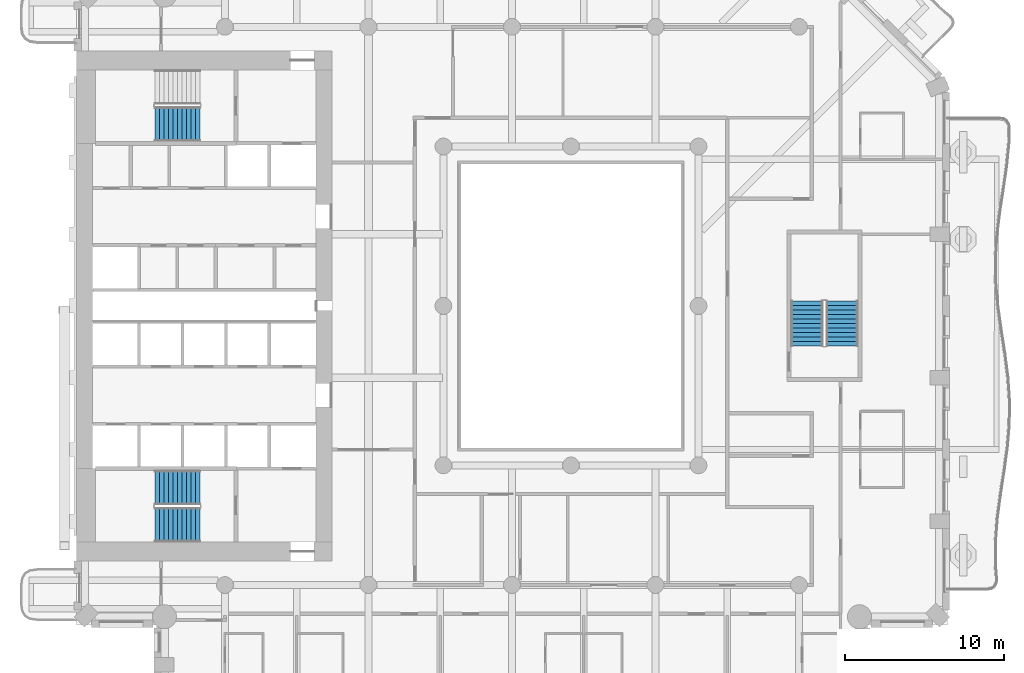
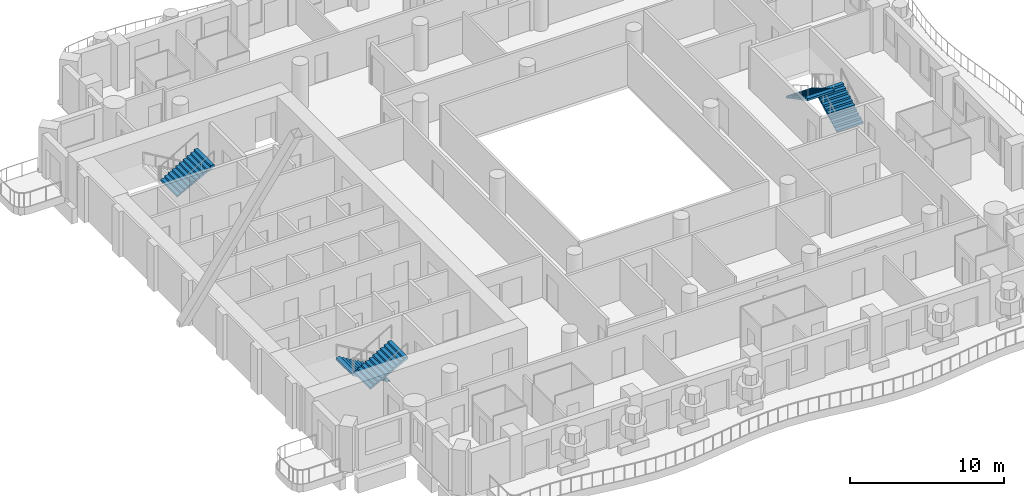
# One storey, part 12 of 21: 5 stair flights, 3 elements without a shape of their own.
"""IFC4 building model written with IfcOpenShell, lengths in metres."""

from ifc_helpers import new_model, si_unit, direction, frame, origin, place, context, subcontext, project, spatial, triangles, material, type_object, element, aggregate, save


model = new_model("IFC4")

# Units and contexts
model_context = context("Model", 3, precision=1e-05, world=origin(), true_north=direction((0.0, 1.0)))
body_context = subcontext(model_context, "Body", "Model", "MODEL_VIEW")
ifc_project = project(units=[si_unit("LENGTHUNIT", "METRE"), si_unit("AREAUNIT", "SQUARE_METRE"), si_unit("VOLUMEUNIT", "CUBIC_METRE"), si_unit("PLANEANGLEUNIT", "RADIAN"), si_unit("MASSUNIT", "GRAM", prefix="KILO")], contexts=[model_context])

# Site, building, storey
site_placement = place(None, origin())
site = spatial("IfcSite", under=ifc_project, at=site_placement, CompositionType="ELEMENT")
building_placement = place(site_placement, origin())
building = spatial("IfcBuilding", under=site, at=building_placement, Name="Cypress Arch Tower", CompositionType="ELEMENT")
storey_placement = place(building_placement, frame((0.0, 0.0, 127.5)))
storey = spatial("IfcBuildingStorey", under=building, at=storey_placement, Name="L27", CompositionType="ELEMENT", Elevation=127.5)

# Stair, stair flights
ifc_material_1 = material(Name="Concrete C40/50", Category="concrete")
stair_type_1 = type_object("IfcStairType", Name="Exit stair ES1636-200", PredefinedType="HALF_TURN_STAIR", material=ifc_material_1)
stair_1_placement = place(storey_placement, origin())
stair_1 = element("IfcStair", 1, at=stair_1_placement, inside=storey, type_object=stair_type_1, Name="L27 Exit stair C", PredefinedType="HALF_TURN_STAIR")
ifc_material_2 = material(Name="Concrete C40/50", Category="concrete")
stair_flight_type_1 = type_object("IfcStairFlightType", Name="Exit stair flight ES1636-200", PredefinedType="STRAIGHT", material=ifc_material_2)
stair_flight_1_placement = place(storey_placement, frame((18.0, -2.5, 0.0), z_axis=(0.0, 0.0, 1.0), x_axis=(0.0, 1.0, 0.0)))
stair_flight_1 = element("IfcStairFlight", 2, at=stair_flight_1_placement, type_object=stair_flight_type_1, Name="C flight 1", NumberOfRisers=11, NumberOfTreads=10, PredefinedType="STRAIGHT", RiserHeight=0.163636364, TreadLength=0.28, context=body_context, shape_type="Tessellation", body=[
    triangles([(0.0, -1.0, 0.0), (0.00048828125, -1.0, 0.054443359375), (0.00048828125, -1.0, 0.109130859375), (0.0, -1.0, 0.16357421875), (0.280029296875, -1.0, 0.16357421875), (0.280029296875, -1.0, 0.327392578125), (0.56005859375, -1.0, 0.327392578125), (0.56005859375, -1.0, 0.490966796875), (0.840087890625, -1.0, 0.490966796875), (0.840087890625, -1.0, 0.654541015625), (1.1201171875, -1.0, 0.654541015625), (1.1201171875, -1.0, 0.818115234375), (1.39990234375, -1.0, 0.818115234375), (1.39990234375, -1.0, 0.98193359375), (1.679931640625, -1.0, 0.98193359375), (1.679931640625, -1.0, 1.1455078125), (1.9599609375, -1.0, 1.1455078125), (1.9599609375, -1.0, 1.30908203125), (2.239990234375, -1.0, 1.30908203125), (2.239990234375, -1.0, 1.47265625), (2.52001953125, -1.0, 1.47265625), (2.52001953125, -1.0, 1.636474609375), (2.800048828125, -1.0, 1.636474609375), (2.799560546875, -1.0, 1.57861328125), (2.799560546875, -1.0, 1.5205078125), (2.800048828125, -1.0, 1.462646484375), (2.800048828125, 1.0, 1.462646484375), (2.799560546875, 1.0, 1.5205078125), (2.799560546875, 1.0, 1.57861328125), (2.800048828125, 1.0, 1.636474609375), (2.52001953125, 1.0, 1.636474609375), (2.52001953125, 1.0, 1.47265625), (2.239990234375, 1.0, 1.47265625), (2.239990234375, 1.0, 1.30908203125), (1.9599609375, 1.0, 1.30908203125), (1.9599609375, 1.0, 1.1455078125), (1.679931640625, 1.0, 1.1455078125), (1.679931640625, 1.0, 0.98193359375), (1.39990234375, 1.0, 0.98193359375), (1.39990234375, 1.0, 0.818115234375), (1.1201171875, 1.0, 0.818115234375), (1.1201171875, 1.0, 0.654541015625), (0.840087890625, 1.0, 0.654541015625), (0.840087890625, 1.0, 0.490966796875), (0.56005859375, 1.0, 0.490966796875), (0.56005859375, 1.0, 0.327392578125), (0.280029296875, 1.0, 0.327392578125), (0.280029296875, 1.0, 0.16357421875), (0.0, 1.0, 0.16357421875), (0.00048828125, 1.0, 0.109130859375), (0.00048828125, 1.0, 0.054443359375), (0.0, 1.0, 0.0), (2.799560546875, 0.0, 1.5205078125), (2.800048828125, 0.0, 1.462646484375), (2.799560546875, 0.0, 1.57861328125), (2.800048828125, 0.0, 1.636474609375), (2.52001953125, 0.0, 1.636474609375), (2.52001953125, 0.0, 1.47265625), (2.239990234375, 0.0, 1.47265625), (2.239990234375, 0.0, 1.30908203125), (1.9599609375, 0.0, 1.30908203125), (1.9599609375, 0.0, 1.1455078125), (1.679931640625, 0.0, 1.1455078125), (1.679931640625, 0.0, 0.98193359375), (1.39990234375, 0.0, 0.98193359375), (1.39990234375, 0.0, 0.818115234375), (1.1201171875, 0.0, 0.818115234375), (1.1201171875, 0.0, 0.654541015625), (0.840087890625, 0.0, 0.654541015625), (0.840087890625, 0.0, 0.490966796875), (0.56005859375, 0.0, 0.490966796875), (0.56005859375, 0.0, 0.327392578125), (0.280029296875, 0.0, 0.327392578125), (0.280029296875, 0.0, 0.16357421875), (0.0, 0.0, 0.16357421875), (0.00048828125, 0.0, 0.109130859375), (0.00048828125, 0.0, 0.054443359375), (0.0, 0.0, 0.0)], [[26, 25, 22], [25, 24, 22], [24, 23, 22], [15, 14, 13], [7, 6, 5], [13, 12, 11], [21, 20, 19], [19, 18, 17], [17, 16, 15], [11, 10, 9], [9, 8, 7], [4, 3, 5], [3, 2, 5], [2, 1, 5], [26, 22, 21], [26, 21, 19], [26, 19, 17], [26, 17, 15], [26, 15, 13], [26, 13, 11], [26, 11, 9], [26, 9, 7], [26, 7, 5], [26, 5, 1], [27, 31, 28], [28, 31, 29], [29, 31, 30], [38, 40, 39], [46, 48, 47], [40, 42, 41], [32, 34, 33], [34, 36, 35], [36, 38, 37], [42, 44, 43], [44, 46, 45], [49, 48, 50], [50, 48, 51], [51, 48, 52], [27, 32, 31], [27, 34, 32], [27, 36, 34], [27, 38, 36], [27, 40, 38], [27, 42, 40], [27, 44, 42], [27, 46, 44], [27, 48, 46], [27, 52, 48], [54, 53, 25], [54, 25, 26], [27, 28, 53], [27, 53, 54], [53, 55, 24], [53, 24, 25], [28, 29, 55], [28, 55, 53], [55, 56, 23], [55, 23, 24], [29, 30, 56], [29, 56, 55], [56, 57, 22], [56, 22, 23], [30, 31, 57], [30, 57, 56], [57, 58, 21], [57, 21, 22], [31, 32, 58], [31, 58, 57], [58, 59, 20], [58, 20, 21], [32, 33, 59], [32, 59, 58], [59, 60, 19], [59, 19, 20], [33, 34, 60], [33, 60, 59], [60, 61, 18], [60, 18, 19], [34, 35, 61], [34, 61, 60], [61, 62, 17], [61, 17, 18], [35, 36, 62], [35, 62, 61], [62, 63, 16], [62, 16, 17], [36, 37, 63], [36, 63, 62], [63, 64, 15], [63, 15, 16], [37, 38, 64], [37, 64, 63], [64, 65, 14], [64, 14, 15], [38, 39, 65], [38, 65, 64], [65, 66, 13], [65, 13, 14], [39, 40, 66], [39, 66, 65], [66, 67, 12], [66, 12, 13], [40, 41, 67], [40, 67, 66], [67, 68, 11], [67, 11, 12], [41, 42, 68], [41, 68, 67], [68, 69, 10], [68, 10, 11], [42, 43, 69], [42, 69, 68], [69, 70, 9], [69, 9, 10], [43, 44, 70], [43, 70, 69], [70, 71, 8], [70, 8, 9], [44, 45, 71], [44, 71, 70], [71, 72, 7], [71, 7, 8], [45, 46, 72], [45, 72, 71], [72, 73, 6], [72, 6, 7], [46, 47, 73], [46, 73, 72], [73, 74, 5], [73, 5, 6], [47, 48, 74], [47, 74, 73], [74, 75, 4], [74, 4, 5], [48, 49, 75], [48, 75, 74], [75, 76, 3], [75, 3, 4], [49, 50, 76], [49, 76, 75], [76, 77, 2], [76, 2, 3], [50, 51, 77], [50, 77, 76], [77, 78, 1], [77, 1, 2], [51, 52, 78], [51, 78, 77], [78, 54, 26], [78, 26, 1], [52, 27, 54], [52, 54, 78]], closed=True),
])
stair_flight_2_placement = place(storey_placement, frame((15.800048828125, 0.300048828125, 1.800048828125), z_axis=(0.0, 0.0, 1.0), x_axis=(0.0, -1.0, 0.0)))
stair_flight_2 = element("IfcStairFlight", 3, at=stair_flight_2_placement, type_object=stair_flight_type_1, Name="C flight 2", NumberOfRisers=11, NumberOfTreads=10, PredefinedType="STRAIGHT", RiserHeight=0.163636364, TreadLength=0.28, context=body_context, shape_type="Tessellation", body=[
    triangles([(0.0, -1.0, 0.0), (0.00048828125, -1.0, 0.054443359375), (0.00048828125, -1.0, 0.109130859375), (0.0, -1.0, 0.16357421875), (0.280029296875, -1.0, 0.16357421875), (0.280029296875, -1.0, 0.327392578125), (0.56005859375, -1.0, 0.327392578125), (0.56005859375, -1.0, 0.490966796875), (0.840087890625, -1.0, 0.490966796875), (0.840087890625, -1.0, 0.654541015625), (1.1201171875, -1.0, 0.654541015625), (1.1201171875, -1.0, 0.818115234375), (1.39990234375, -1.0, 0.818115234375), (1.39990234375, -1.0, 0.98193359375), (1.679931640625, -1.0, 0.98193359375), (1.679931640625, -1.0, 1.1455078125), (1.9599609375, -1.0, 1.1455078125), (1.9599609375, -1.0, 1.30908203125), (2.239990234375, -1.0, 1.30908203125), (2.239990234375, -1.0, 1.47265625), (2.52001953125, -1.0, 1.47265625), (2.52001953125, -1.0, 1.636474609375), (2.800048828125, -1.0, 1.636474609375), (2.799560546875, -1.0, 1.57861328125), (2.799560546875, -1.0, 1.5205078125), (2.800048828125, -1.0, 1.462646484375), (2.800048828125, 1.0, 1.462646484375), (2.799560546875, 1.0, 1.5205078125), (2.799560546875, 1.0, 1.57861328125), (2.800048828125, 1.0, 1.636474609375), (2.52001953125, 1.0, 1.636474609375), (2.52001953125, 1.0, 1.47265625), (2.239990234375, 1.0, 1.47265625), (2.239990234375, 1.0, 1.30908203125), (1.9599609375, 1.0, 1.30908203125), (1.9599609375, 1.0, 1.1455078125), (1.679931640625, 1.0, 1.1455078125), (1.679931640625, 1.0, 0.98193359375), (1.39990234375, 1.0, 0.98193359375), (1.39990234375, 1.0, 0.818115234375), (1.1201171875, 1.0, 0.818115234375), (1.1201171875, 1.0, 0.654541015625), (0.840087890625, 1.0, 0.654541015625), (0.840087890625, 1.0, 0.490966796875), (0.56005859375, 1.0, 0.490966796875), (0.56005859375, 1.0, 0.327392578125), (0.280029296875, 1.0, 0.327392578125), (0.280029296875, 1.0, 0.16357421875), (0.0, 1.0, 0.16357421875), (0.00048828125, 1.0, 0.109130859375), (0.00048828125, 1.0, 0.054443359375), (0.0, 1.0, 0.0), (2.799560546875, 0.0, 1.5205078125), (2.800048828125, 0.0, 1.462646484375), (2.799560546875, 0.0, 1.57861328125), (2.800048828125, 0.0, 1.636474609375), (2.52001953125, 0.0, 1.636474609375), (2.52001953125, 0.0, 1.47265625), (2.239990234375, 0.0, 1.47265625), (2.239990234375, 0.0, 1.30908203125), (1.9599609375, 0.0, 1.30908203125), (1.9599609375, 0.0, 1.1455078125), (1.679931640625, 0.0, 1.1455078125), (1.679931640625, 0.0, 0.98193359375), (1.39990234375, 0.0, 0.98193359375), (1.39990234375, 0.0, 0.818115234375), (1.1201171875, 0.0, 0.818115234375), (1.1201171875, 0.0, 0.654541015625), (0.840087890625, 0.0, 0.654541015625), (0.840087890625, 0.0, 0.490966796875), (0.56005859375, 0.0, 0.490966796875), (0.56005859375, 0.0, 0.327392578125), (0.280029296875, 0.0, 0.327392578125), (0.280029296875, 0.0, 0.16357421875), (0.0, 0.0, 0.16357421875), (0.00048828125, 0.0, 0.109130859375), (0.00048828125, 0.0, 0.054443359375), (0.0, 0.0, 0.0)], [[26, 25, 22], [25, 24, 22], [24, 23, 22], [15, 14, 13], [7, 6, 5], [13, 12, 11], [21, 20, 19], [19, 18, 17], [17, 16, 15], [11, 10, 9], [9, 8, 7], [4, 3, 5], [3, 2, 5], [2, 1, 5], [26, 22, 21], [26, 21, 19], [26, 19, 17], [26, 17, 15], [26, 15, 13], [26, 13, 11], [26, 11, 9], [26, 9, 7], [26, 7, 5], [26, 5, 1], [27, 31, 28], [28, 31, 29], [29, 31, 30], [38, 40, 39], [46, 48, 47], [40, 42, 41], [32, 34, 33], [34, 36, 35], [36, 38, 37], [42, 44, 43], [44, 46, 45], [49, 48, 50], [50, 48, 51], [51, 48, 52], [27, 32, 31], [27, 34, 32], [27, 36, 34], [27, 38, 36], [27, 40, 38], [27, 42, 40], [27, 44, 42], [27, 46, 44], [27, 48, 46], [27, 52, 48], [54, 53, 25], [54, 25, 26], [27, 28, 53], [27, 53, 54], [53, 55, 24], [53, 24, 25], [28, 29, 55], [28, 55, 53], [55, 56, 23], [55, 23, 24], [29, 30, 56], [29, 56, 55], [56, 57, 22], [56, 22, 23], [30, 31, 57], [30, 57, 56], [57, 58, 21], [57, 21, 22], [31, 32, 58], [31, 58, 57], [58, 59, 20], [58, 20, 21], [32, 33, 59], [32, 59, 58], [59, 60, 19], [59, 19, 20], [33, 34, 60], [33, 60, 59], [60, 61, 18], [60, 18, 19], [34, 35, 61], [34, 61, 60], [61, 62, 17], [61, 17, 18], [35, 36, 62], [35, 62, 61], [62, 63, 16], [62, 16, 17], [36, 37, 63], [36, 63, 62], [63, 64, 15], [63, 15, 16], [37, 38, 64], [37, 64, 63], [64, 65, 14], [64, 14, 15], [38, 39, 65], [38, 65, 64], [65, 66, 13], [65, 13, 14], [39, 40, 66], [39, 66, 65], [66, 67, 12], [66, 12, 13], [40, 41, 67], [40, 67, 66], [67, 68, 11], [67, 11, 12], [41, 42, 68], [41, 68, 67], [68, 69, 10], [68, 10, 11], [42, 43, 69], [42, 69, 68], [69, 70, 9], [69, 9, 10], [43, 44, 70], [43, 70, 69], [70, 71, 8], [70, 8, 9], [44, 45, 71], [44, 71, 70], [71, 72, 7], [71, 7, 8], [45, 46, 72], [45, 72, 71], [72, 73, 6], [72, 6, 7], [46, 47, 73], [46, 73, 72], [73, 74, 5], [73, 5, 6], [47, 48, 74], [47, 74, 73], [74, 75, 4], [74, 4, 5], [48, 49, 75], [48, 75, 74], [75, 76, 3], [75, 3, 4], [49, 50, 76], [49, 76, 75], [76, 77, 2], [76, 2, 3], [50, 51, 77], [50, 77, 76], [77, 78, 1], [77, 1, 2], [51, 52, 78], [51, 78, 77], [78, 54, 26], [78, 26, 1], [52, 27, 54], [52, 54, 78]], closed=True),
])
aggregate(stair_1, [stair_flight_1, stair_flight_2])

ifc_material_3 = material(Name="Concrete C40/50", Category="concrete")
stair_type_2 = type_object("IfcStairType", Name="Exit stair ES1636-215", PredefinedType="HALF_TURN_STAIR", material=ifc_material_3)
stair_2_placement = place(storey_placement, origin())
stair_2 = element("IfcStair", 4, at=stair_2_placement, inside=storey, type_object=stair_type_2, Name="L27 Exit stair A", PredefinedType="HALF_TURN_STAIR")
ifc_material_4 = material(Name="Concrete C40/50", Category="concrete")
stair_flight_type_2 = type_object("IfcStairFlightType", Name="Exit stair flight ES1636-215", PredefinedType="STRAIGHT", material=ifc_material_4)
stair_flight_3_placement = place(storey_placement, frame((-22.27490234375, -11.39990234375, 0.0), z_axis=(0.0, 0.0, 1.0), x_axis=(-1.0, 0.0, 0.0)))
stair_flight_3 = element("IfcStairFlight", 5, at=stair_flight_3_placement, type_object=stair_flight_type_2, Name="A flight 1", NumberOfRisers=11, NumberOfTreads=10, PredefinedType="STRAIGHT", RiserHeight=0.163636364, TreadLength=0.28, context=body_context, shape_type="Tessellation", body=[
    triangles([(0.0, -1.074951171875, 0.0), (0.000244140625, -1.074951171875, 0.03271484375), (0.00048828125, -1.074951171875, 0.0654296875), (0.00048828125, -1.074951171875, 0.09814453125), (0.000244140625, -1.074951171875, 0.130859375), (0.0, -1.074951171875, 0.16357421875), (0.280029296875, -1.074951171875, 0.16357421875), (0.280029296875, -1.074951171875, 0.327392578125), (0.56005859375, -1.074951171875, 0.327392578125), (0.56005859375, -1.074951171875, 0.490966796875), (0.840087890625, -1.074951171875, 0.490966796875), (0.840087890625, -1.074951171875, 0.654541015625), (1.1201171875, -1.074951171875, 0.654541015625), (1.1201171875, -1.074951171875, 0.818115234375), (1.39990234375, -1.074951171875, 0.818115234375), (1.39990234375, -1.074951171875, 0.98193359375), (1.679931640625, -1.074951171875, 0.98193359375), (1.679931640625, -1.074951171875, 1.1455078125), (1.9599609375, -1.074951171875, 1.1455078125), (1.9599609375, -1.074951171875, 1.30908203125), (2.239990234375, -1.074951171875, 1.30908203125), (2.239990234375, -1.074951171875, 1.47265625), (2.52001953125, -1.074951171875, 1.47265625), (2.52001953125, -1.074951171875, 1.636474609375), (2.800048828125, -1.074951171875, 1.636474609375), (2.7998046875, -1.074951171875, 1.601806640625), (2.799560546875, -1.074951171875, 1.56689453125), (2.799560546875, -1.074951171875, 1.5322265625), (2.7998046875, -1.074951171875, 1.497314453125), (2.800048828125, -1.074951171875, 1.462646484375), (2.800048828125, 1.074951171875, 1.462646484375), (2.7998046875, 1.074951171875, 1.497314453125), (2.799560546875, 1.074951171875, 1.5322265625), (2.799560546875, 1.074951171875, 1.56689453125), (2.7998046875, 1.074951171875, 1.601806640625), (2.800048828125, 1.074951171875, 1.636474609375), (2.52001953125, 1.074951171875, 1.636474609375), (2.52001953125, 1.074951171875, 1.47265625), (2.239990234375, 1.074951171875, 1.47265625), (2.239990234375, 1.074951171875, 1.30908203125), (1.9599609375, 1.074951171875, 1.30908203125), (1.9599609375, 1.074951171875, 1.1455078125), (1.679931640625, 1.074951171875, 1.1455078125), (1.679931640625, 1.074951171875, 0.98193359375), (1.39990234375, 1.074951171875, 0.98193359375), (1.39990234375, 1.074951171875, 0.818115234375), (1.1201171875, 1.074951171875, 0.818115234375), (1.1201171875, 1.074951171875, 0.654541015625), (0.840087890625, 1.074951171875, 0.654541015625), (0.840087890625, 1.074951171875, 0.490966796875), (0.56005859375, 1.074951171875, 0.490966796875), (0.56005859375, 1.074951171875, 0.327392578125), (0.280029296875, 1.074951171875, 0.327392578125), (0.280029296875, 1.074951171875, 0.16357421875), (0.0, 1.074951171875, 0.16357421875), (0.000244140625, 1.074951171875, 0.130859375), (0.00048828125, 1.074951171875, 0.09814453125), (0.00048828125, 1.074951171875, 0.0654296875), (0.000244140625, 1.074951171875, 0.03271484375), (0.0, 1.074951171875, 0.0), (2.7998046875, 0.0, 1.497314453125), (2.800048828125, 0.0, 1.462646484375), (2.799560546875, 0.0, 1.5322265625), (2.799560546875, 0.0, 1.56689453125), (2.7998046875, 0.0, 1.601806640625), (2.800048828125, 0.0, 1.636474609375), (2.52001953125, 0.0, 1.636474609375), (2.52001953125, 0.0, 1.47265625), (2.239990234375, 0.0, 1.47265625), (2.239990234375, 0.0, 1.30908203125), (1.9599609375, 0.0, 1.30908203125), (1.9599609375, 0.0, 1.1455078125), (1.679931640625, 0.0, 1.1455078125), (1.679931640625, 0.0, 0.98193359375), (1.39990234375, 0.0, 0.98193359375), (1.39990234375, 0.0, 0.818115234375), (1.1201171875, 0.0, 0.818115234375), (1.1201171875, 0.0, 0.654541015625), (0.840087890625, 0.0, 0.654541015625), (0.840087890625, 0.0, 0.490966796875), (0.56005859375, 0.0, 0.490966796875), (0.56005859375, 0.0, 0.327392578125), (0.280029296875, 0.0, 0.327392578125), (0.280029296875, 0.0, 0.16357421875), (0.0, 0.0, 0.16357421875), (0.000244140625, 0.0, 0.130859375), (0.00048828125, 0.0, 0.09814453125), (0.00048828125, 0.0, 0.0654296875), (0.000244140625, 0.0, 0.03271484375), (0.0, 0.0, 0.0)], [[30, 29, 24], [29, 28, 24], [28, 27, 24], [27, 26, 24], [26, 25, 24], [17, 16, 15], [9, 8, 7], [15, 14, 13], [23, 22, 21], [21, 20, 19], [19, 18, 17], [13, 12, 11], [11, 10, 9], [6, 5, 7], [5, 4, 7], [4, 3, 7], [3, 2, 7], [2, 1, 7], [30, 24, 23], [30, 23, 21], [30, 21, 19], [30, 19, 17], [30, 17, 15], [30, 15, 13], [30, 13, 11], [30, 11, 9], [30, 9, 7], [30, 7, 1], [31, 37, 32], [32, 37, 33], [33, 37, 34], [34, 37, 35], [35, 37, 36], [44, 46, 45], [52, 54, 53], [46, 48, 47], [38, 40, 39], [40, 42, 41], [42, 44, 43], [48, 50, 49], [50, 52, 51], [55, 54, 56], [56, 54, 57], [57, 54, 58], [58, 54, 59], [59, 54, 60], [31, 38, 37], [31, 40, 38], [31, 42, 40], [31, 44, 42], [31, 46, 44], [31, 48, 46], [31, 50, 48], [31, 52, 50], [31, 54, 52], [31, 60, 54], [62, 61, 29], [62, 29, 30], [31, 32, 61], [31, 61, 62], [61, 63, 28], [61, 28, 29], [32, 33, 63], [32, 63, 61], [63, 64, 27], [63, 27, 28], [33, 34, 64], [33, 64, 63], [64, 65, 26], [64, 26, 27], [34, 35, 65], [34, 65, 64], [65, 66, 25], [65, 25, 26], [35, 36, 66], [35, 66, 65], [66, 67, 24], [66, 24, 25], [36, 37, 67], [36, 67, 66], [67, 68, 23], [67, 23, 24], [37, 38, 68], [37, 68, 67], [68, 69, 22], [68, 22, 23], [38, 39, 69], [38, 69, 68], [69, 70, 21], [69, 21, 22], [39, 40, 70], [39, 70, 69], [70, 71, 20], [70, 20, 21], [40, 41, 71], [40, 71, 70], [71, 72, 19], [71, 19, 20], [41, 42, 72], [41, 72, 71], [72, 73, 18], [72, 18, 19], [42, 43, 73], [42, 73, 72], [73, 74, 17], [73, 17, 18], [43, 44, 74], [43, 74, 73], [74, 75, 16], [74, 16, 17], [44, 45, 75], [44, 75, 74], [75, 76, 15], [75, 15, 16], [45, 46, 76], [45, 76, 75], [76, 77, 14], [76, 14, 15], [46, 47, 77], [46, 77, 76], [77, 78, 13], [77, 13, 14], [47, 48, 78], [47, 78, 77], [78, 79, 12], [78, 12, 13], [48, 49, 79], [48, 79, 78], [79, 80, 11], [79, 11, 12], [49, 50, 80], [49, 80, 79], [80, 81, 10], [80, 10, 11], [50, 51, 81], [50, 81, 80], [81, 82, 9], [81, 9, 10], [51, 52, 82], [51, 82, 81], [82, 83, 8], [82, 8, 9], [52, 53, 83], [52, 83, 82], [83, 84, 7], [83, 7, 8], [53, 54, 84], [53, 84, 83], [84, 85, 6], [84, 6, 7], [54, 55, 85], [54, 85, 84], [85, 86, 5], [85, 5, 6], [55, 56, 86], [55, 86, 85], [86, 87, 4], [86, 4, 5], [56, 57, 87], [56, 87, 86], [87, 88, 3], [87, 3, 4], [57, 58, 88], [57, 88, 87], [88, 89, 2], [88, 2, 3], [58, 59, 89], [58, 89, 88], [89, 90, 1], [89, 1, 2], [59, 60, 90], [59, 90, 89], [90, 62, 30], [90, 30, 1], [60, 31, 62], [60, 62, 90]], closed=True),
])
stair_flight_4_placement = place(storey_placement, frame((-25.074951171875, -13.72509765625, 1.800048828125), z_axis=(0.0, 0.0, 1.0), x_axis=(1.0, 0.0, 0.0)))
stair_flight_4 = element("IfcStairFlight", 6, at=stair_flight_4_placement, type_object=stair_flight_type_2, Name="A flight 2", NumberOfRisers=11, NumberOfTreads=10, PredefinedType="STRAIGHT", RiserHeight=0.163636364, TreadLength=0.28, context=body_context, shape_type="Tessellation", body=[
    triangles([(0.0, -1.074951171875, 0.0), (0.000244140625, -1.074951171875, 0.03271484375), (0.00048828125, -1.074951171875, 0.0654296875), (0.00048828125, -1.074951171875, 0.09814453125), (0.000244140625, -1.074951171875, 0.130859375), (0.0, -1.074951171875, 0.16357421875), (0.280029296875, -1.074951171875, 0.16357421875), (0.280029296875, -1.074951171875, 0.327392578125), (0.56005859375, -1.074951171875, 0.327392578125), (0.56005859375, -1.074951171875, 0.490966796875), (0.840087890625, -1.074951171875, 0.490966796875), (0.840087890625, -1.074951171875, 0.654541015625), (1.1201171875, -1.074951171875, 0.654541015625), (1.1201171875, -1.074951171875, 0.818115234375), (1.39990234375, -1.074951171875, 0.818115234375), (1.39990234375, -1.074951171875, 0.98193359375), (1.679931640625, -1.074951171875, 0.98193359375), (1.679931640625, -1.074951171875, 1.1455078125), (1.9599609375, -1.074951171875, 1.1455078125), (1.9599609375, -1.074951171875, 1.30908203125), (2.239990234375, -1.074951171875, 1.30908203125), (2.239990234375, -1.074951171875, 1.47265625), (2.52001953125, -1.074951171875, 1.47265625), (2.52001953125, -1.074951171875, 1.636474609375), (2.800048828125, -1.074951171875, 1.636474609375), (2.7998046875, -1.074951171875, 1.601806640625), (2.799560546875, -1.074951171875, 1.56689453125), (2.799560546875, -1.074951171875, 1.5322265625), (2.7998046875, -1.074951171875, 1.497314453125), (2.800048828125, -1.074951171875, 1.462646484375), (2.800048828125, 1.074951171875, 1.462646484375), (2.7998046875, 1.074951171875, 1.497314453125), (2.799560546875, 1.074951171875, 1.5322265625), (2.799560546875, 1.074951171875, 1.56689453125), (2.7998046875, 1.074951171875, 1.601806640625), (2.800048828125, 1.074951171875, 1.636474609375), (2.52001953125, 1.074951171875, 1.636474609375), (2.52001953125, 1.074951171875, 1.47265625), (2.239990234375, 1.074951171875, 1.47265625), (2.239990234375, 1.074951171875, 1.30908203125), (1.9599609375, 1.074951171875, 1.30908203125), (1.9599609375, 1.074951171875, 1.1455078125), (1.679931640625, 1.074951171875, 1.1455078125), (1.679931640625, 1.074951171875, 0.98193359375), (1.39990234375, 1.074951171875, 0.98193359375), (1.39990234375, 1.074951171875, 0.818115234375), (1.1201171875, 1.074951171875, 0.818115234375), (1.1201171875, 1.074951171875, 0.654541015625), (0.840087890625, 1.074951171875, 0.654541015625), (0.840087890625, 1.074951171875, 0.490966796875), (0.56005859375, 1.074951171875, 0.490966796875), (0.56005859375, 1.074951171875, 0.327392578125), (0.280029296875, 1.074951171875, 0.327392578125), (0.280029296875, 1.074951171875, 0.16357421875), (0.0, 1.074951171875, 0.16357421875), (0.000244140625, 1.074951171875, 0.130859375), (0.00048828125, 1.074951171875, 0.09814453125), (0.00048828125, 1.074951171875, 0.0654296875), (0.000244140625, 1.074951171875, 0.03271484375), (0.0, 1.074951171875, 0.0), (2.7998046875, 0.0, 1.497314453125), (2.800048828125, 0.0, 1.462646484375), (2.799560546875, 0.0, 1.5322265625), (2.799560546875, 0.0, 1.56689453125), (2.7998046875, 0.0, 1.601806640625), (2.800048828125, 0.0, 1.636474609375), (2.52001953125, 0.0, 1.636474609375), (2.52001953125, 0.0, 1.47265625), (2.239990234375, 0.0, 1.47265625), (2.239990234375, 0.0, 1.30908203125), (1.9599609375, 0.0, 1.30908203125), (1.9599609375, 0.0, 1.1455078125), (1.679931640625, 0.0, 1.1455078125), (1.679931640625, 0.0, 0.98193359375), (1.39990234375, 0.0, 0.98193359375), (1.39990234375, 0.0, 0.818115234375), (1.1201171875, 0.0, 0.818115234375), (1.1201171875, 0.0, 0.654541015625), (0.840087890625, 0.0, 0.654541015625), (0.840087890625, 0.0, 0.490966796875), (0.56005859375, 0.0, 0.490966796875), (0.56005859375, 0.0, 0.327392578125), (0.280029296875, 0.0, 0.327392578125), (0.280029296875, 0.0, 0.16357421875), (0.0, 0.0, 0.16357421875), (0.000244140625, 0.0, 0.130859375), (0.00048828125, 0.0, 0.09814453125), (0.00048828125, 0.0, 0.0654296875), (0.000244140625, 0.0, 0.03271484375), (0.0, 0.0, 0.0)], [[30, 29, 24], [29, 28, 24], [28, 27, 24], [27, 26, 24], [26, 25, 24], [17, 16, 15], [9, 8, 7], [15, 14, 13], [23, 22, 21], [21, 20, 19], [19, 18, 17], [13, 12, 11], [11, 10, 9], [6, 5, 7], [5, 4, 7], [4, 3, 7], [3, 2, 7], [2, 1, 7], [30, 24, 23], [30, 23, 21], [30, 21, 19], [30, 19, 17], [30, 17, 15], [30, 15, 13], [30, 13, 11], [30, 11, 9], [30, 9, 7], [30, 7, 1], [31, 37, 32], [32, 37, 33], [33, 37, 34], [34, 37, 35], [35, 37, 36], [44, 46, 45], [52, 54, 53], [46, 48, 47], [38, 40, 39], [40, 42, 41], [42, 44, 43], [48, 50, 49], [50, 52, 51], [55, 54, 56], [56, 54, 57], [57, 54, 58], [58, 54, 59], [59, 54, 60], [31, 38, 37], [31, 40, 38], [31, 42, 40], [31, 44, 42], [31, 46, 44], [31, 48, 46], [31, 50, 48], [31, 52, 50], [31, 54, 52], [31, 60, 54], [62, 61, 29], [62, 29, 30], [31, 32, 61], [31, 61, 62], [61, 63, 28], [61, 28, 29], [32, 33, 63], [32, 63, 61], [63, 64, 27], [63, 27, 28], [33, 34, 64], [33, 64, 63], [64, 65, 26], [64, 26, 27], [34, 35, 65], [34, 65, 64], [65, 66, 25], [65, 25, 26], [35, 36, 66], [35, 66, 65], [66, 67, 24], [66, 24, 25], [36, 37, 67], [36, 67, 66], [67, 68, 23], [67, 23, 24], [37, 38, 68], [37, 68, 67], [68, 69, 22], [68, 22, 23], [38, 39, 69], [38, 69, 68], [69, 70, 21], [69, 21, 22], [39, 40, 70], [39, 70, 69], [70, 71, 20], [70, 20, 21], [40, 41, 71], [40, 71, 70], [71, 72, 19], [71, 19, 20], [41, 42, 72], [41, 72, 71], [72, 73, 18], [72, 18, 19], [42, 43, 73], [42, 73, 72], [73, 74, 17], [73, 17, 18], [43, 44, 74], [43, 74, 73], [74, 75, 16], [74, 16, 17], [44, 45, 75], [44, 75, 74], [75, 76, 15], [75, 15, 16], [45, 46, 76], [45, 76, 75], [76, 77, 14], [76, 14, 15], [46, 47, 77], [46, 77, 76], [77, 78, 13], [77, 13, 14], [47, 48, 78], [47, 78, 77], [78, 79, 12], [78, 12, 13], [48, 49, 79], [48, 79, 78], [79, 80, 11], [79, 11, 12], [49, 50, 80], [49, 80, 79], [80, 81, 10], [80, 10, 11], [50, 51, 81], [50, 81, 80], [81, 82, 9], [81, 9, 10], [51, 52, 82], [51, 82, 81], [82, 83, 8], [82, 8, 9], [52, 53, 83], [52, 83, 82], [83, 84, 7], [83, 7, 8], [53, 54, 84], [53, 84, 83], [84, 85, 6], [84, 6, 7], [54, 55, 85], [54, 85, 84], [85, 86, 5], [85, 5, 6], [55, 56, 86], [55, 86, 85], [86, 87, 4], [86, 4, 5], [56, 57, 87], [56, 87, 86], [87, 88, 3], [87, 3, 4], [57, 58, 88], [57, 88, 87], [88, 89, 2], [88, 2, 3], [58, 59, 89], [58, 89, 88], [89, 90, 1], [89, 1, 2], [59, 60, 90], [59, 90, 89], [90, 62, 30], [90, 30, 1], [60, 31, 62], [60, 62, 90]], closed=True),
])
aggregate(stair_2, [stair_flight_3, stair_flight_4])

# Stair, stair flight
stair_3_placement = place(storey_placement, origin())
stair_3 = element("IfcStair", 7, at=stair_3_placement, inside=storey, type_object=stair_type_2, Name="L27 Exit stair B", PredefinedType="HALF_TURN_STAIR")
stair_flight_5_placement = place(storey_placement, frame((-25.074951171875, 11.39990234375, 1.800048828125), z_axis=(0.0, 0.0, 1.0), x_axis=(1.0, 0.0, 0.0)))
stair_flight_5 = element("IfcStairFlight", 8, at=stair_flight_5_placement, type_object=stair_flight_type_2, Name="B flight 2", NumberOfRisers=11, NumberOfTreads=10, PredefinedType="STRAIGHT", RiserHeight=0.163636364, TreadLength=0.28, context=body_context, shape_type="Tessellation", body=[
    triangles([(0.0, -1.074951171875, 0.0), (0.000244140625, -1.074951171875, 0.03271484375), (0.00048828125, -1.074951171875, 0.0654296875), (0.00048828125, -1.074951171875, 0.09814453125), (0.000244140625, -1.074951171875, 0.130859375), (0.0, -1.074951171875, 0.16357421875), (0.280029296875, -1.074951171875, 0.16357421875), (0.280029296875, -1.074951171875, 0.327392578125), (0.56005859375, -1.074951171875, 0.327392578125), (0.56005859375, -1.074951171875, 0.490966796875), (0.840087890625, -1.074951171875, 0.490966796875), (0.840087890625, -1.074951171875, 0.654541015625), (1.1201171875, -1.074951171875, 0.654541015625), (1.1201171875, -1.074951171875, 0.818115234375), (1.39990234375, -1.074951171875, 0.818115234375), (1.39990234375, -1.074951171875, 0.98193359375), (1.679931640625, -1.074951171875, 0.98193359375), (1.679931640625, -1.074951171875, 1.1455078125), (1.9599609375, -1.074951171875, 1.1455078125), (1.9599609375, -1.074951171875, 1.30908203125), (2.239990234375, -1.074951171875, 1.30908203125), (2.239990234375, -1.074951171875, 1.47265625), (2.52001953125, -1.074951171875, 1.47265625), (2.52001953125, -1.074951171875, 1.636474609375), (2.800048828125, -1.074951171875, 1.636474609375), (2.7998046875, -1.074951171875, 1.601806640625), (2.799560546875, -1.074951171875, 1.56689453125), (2.799560546875, -1.074951171875, 1.5322265625), (2.7998046875, -1.074951171875, 1.497314453125), (2.800048828125, -1.074951171875, 1.462646484375), (2.800048828125, 1.074951171875, 1.462646484375), (2.7998046875, 1.074951171875, 1.497314453125), (2.799560546875, 1.074951171875, 1.5322265625), (2.799560546875, 1.074951171875, 1.56689453125), (2.7998046875, 1.074951171875, 1.601806640625), (2.800048828125, 1.074951171875, 1.636474609375), (2.52001953125, 1.074951171875, 1.636474609375), (2.52001953125, 1.074951171875, 1.47265625), (2.239990234375, 1.074951171875, 1.47265625), (2.239990234375, 1.074951171875, 1.30908203125), (1.9599609375, 1.074951171875, 1.30908203125), (1.9599609375, 1.074951171875, 1.1455078125), (1.679931640625, 1.074951171875, 1.1455078125), (1.679931640625, 1.074951171875, 0.98193359375), (1.39990234375, 1.074951171875, 0.98193359375), (1.39990234375, 1.074951171875, 0.818115234375), (1.1201171875, 1.074951171875, 0.818115234375), (1.1201171875, 1.074951171875, 0.654541015625), (0.840087890625, 1.074951171875, 0.654541015625), (0.840087890625, 1.074951171875, 0.490966796875), (0.56005859375, 1.074951171875, 0.490966796875), (0.56005859375, 1.074951171875, 0.327392578125), (0.280029296875, 1.074951171875, 0.327392578125), (0.280029296875, 1.074951171875, 0.16357421875), (0.0, 1.074951171875, 0.16357421875), (0.000244140625, 1.074951171875, 0.130859375), (0.00048828125, 1.074951171875, 0.09814453125), (0.00048828125, 1.074951171875, 0.0654296875), (0.000244140625, 1.074951171875, 0.03271484375), (0.0, 1.074951171875, 0.0), (2.7998046875, 0.0, 1.497314453125), (2.800048828125, 0.0, 1.462646484375), (2.799560546875, 0.0, 1.5322265625), (2.799560546875, 0.0, 1.56689453125), (2.7998046875, 0.0, 1.601806640625), (2.800048828125, 0.0, 1.636474609375), (2.52001953125, 0.0, 1.636474609375), (2.52001953125, 0.0, 1.47265625), (2.239990234375, 0.0, 1.47265625), (2.239990234375, 0.0, 1.30908203125), (1.9599609375, 0.0, 1.30908203125), (1.9599609375, 0.0, 1.1455078125), (1.679931640625, 0.0, 1.1455078125), (1.679931640625, 0.0, 0.98193359375), (1.39990234375, 0.0, 0.98193359375), (1.39990234375, 0.0, 0.818115234375), (1.1201171875, 0.0, 0.818115234375), (1.1201171875, 0.0, 0.654541015625), (0.840087890625, 0.0, 0.654541015625), (0.840087890625, 0.0, 0.490966796875), (0.56005859375, 0.0, 0.490966796875), (0.56005859375, 0.0, 0.327392578125), (0.280029296875, 0.0, 0.327392578125), (0.280029296875, 0.0, 0.16357421875), (0.0, 0.0, 0.16357421875), (0.000244140625, 0.0, 0.130859375), (0.00048828125, 0.0, 0.09814453125), (0.00048828125, 0.0, 0.0654296875), (0.000244140625, 0.0, 0.03271484375), (0.0, 0.0, 0.0)], [[30, 29, 24], [29, 28, 24], [28, 27, 24], [27, 26, 24], [26, 25, 24], [17, 16, 15], [9, 8, 7], [15, 14, 13], [23, 22, 21], [21, 20, 19], [19, 18, 17], [13, 12, 11], [11, 10, 9], [6, 5, 7], [5, 4, 7], [4, 3, 7], [3, 2, 7], [2, 1, 7], [30, 24, 23], [30, 23, 21], [30, 21, 19], [30, 19, 17], [30, 17, 15], [30, 15, 13], [30, 13, 11], [30, 11, 9], [30, 9, 7], [30, 7, 1], [31, 37, 32], [32, 37, 33], [33, 37, 34], [34, 37, 35], [35, 37, 36], [44, 46, 45], [52, 54, 53], [46, 48, 47], [38, 40, 39], [40, 42, 41], [42, 44, 43], [48, 50, 49], [50, 52, 51], [55, 54, 56], [56, 54, 57], [57, 54, 58], [58, 54, 59], [59, 54, 60], [31, 38, 37], [31, 40, 38], [31, 42, 40], [31, 44, 42], [31, 46, 44], [31, 48, 46], [31, 50, 48], [31, 52, 50], [31, 54, 52], [31, 60, 54], [62, 61, 29], [62, 29, 30], [31, 32, 61], [31, 61, 62], [61, 63, 28], [61, 28, 29], [32, 33, 63], [32, 63, 61], [63, 64, 27], [63, 27, 28], [33, 34, 64], [33, 64, 63], [64, 65, 26], [64, 26, 27], [34, 35, 65], [34, 65, 64], [65, 66, 25], [65, 25, 26], [35, 36, 66], [35, 66, 65], [66, 67, 24], [66, 24, 25], [36, 37, 67], [36, 67, 66], [67, 68, 23], [67, 23, 24], [37, 38, 68], [37, 68, 67], [68, 69, 22], [68, 22, 23], [38, 39, 69], [38, 69, 68], [69, 70, 21], [69, 21, 22], [39, 40, 70], [39, 70, 69], [70, 71, 20], [70, 20, 21], [40, 41, 71], [40, 71, 70], [71, 72, 19], [71, 19, 20], [41, 42, 72], [41, 72, 71], [72, 73, 18], [72, 18, 19], [42, 43, 73], [42, 73, 72], [73, 74, 17], [73, 17, 18], [43, 44, 74], [43, 74, 73], [74, 75, 16], [74, 16, 17], [44, 45, 75], [44, 75, 74], [75, 76, 15], [75, 15, 16], [45, 46, 76], [45, 76, 75], [76, 77, 14], [76, 14, 15], [46, 47, 77], [46, 77, 76], [77, 78, 13], [77, 13, 14], [47, 48, 78], [47, 78, 77], [78, 79, 12], [78, 12, 13], [48, 49, 79], [48, 79, 78], [79, 80, 11], [79, 11, 12], [49, 50, 80], [49, 80, 79], [80, 81, 10], [80, 10, 11], [50, 51, 81], [50, 81, 80], [81, 82, 9], [81, 9, 10], [51, 52, 82], [51, 82, 81], [82, 83, 8], [82, 8, 9], [52, 53, 83], [52, 83, 82], [83, 84, 7], [83, 7, 8], [53, 54, 84], [53, 84, 83], [84, 85, 6], [84, 6, 7], [54, 55, 85], [54, 85, 84], [85, 86, 5], [85, 5, 6], [55, 56, 86], [55, 86, 85], [86, 87, 4], [86, 4, 5], [56, 57, 87], [56, 87, 86], [87, 88, 3], [87, 3, 4], [57, 58, 88], [57, 88, 87], [88, 89, 2], [88, 2, 3], [58, 59, 89], [58, 89, 88], [89, 90, 1], [89, 1, 2], [59, 60, 90], [59, 90, 89], [90, 62, 30], [90, 30, 1], [60, 31, 62], [60, 62, 90]], closed=True),
])
aggregate(stair_3, [stair_flight_5])

save(model, "model.ifc")
